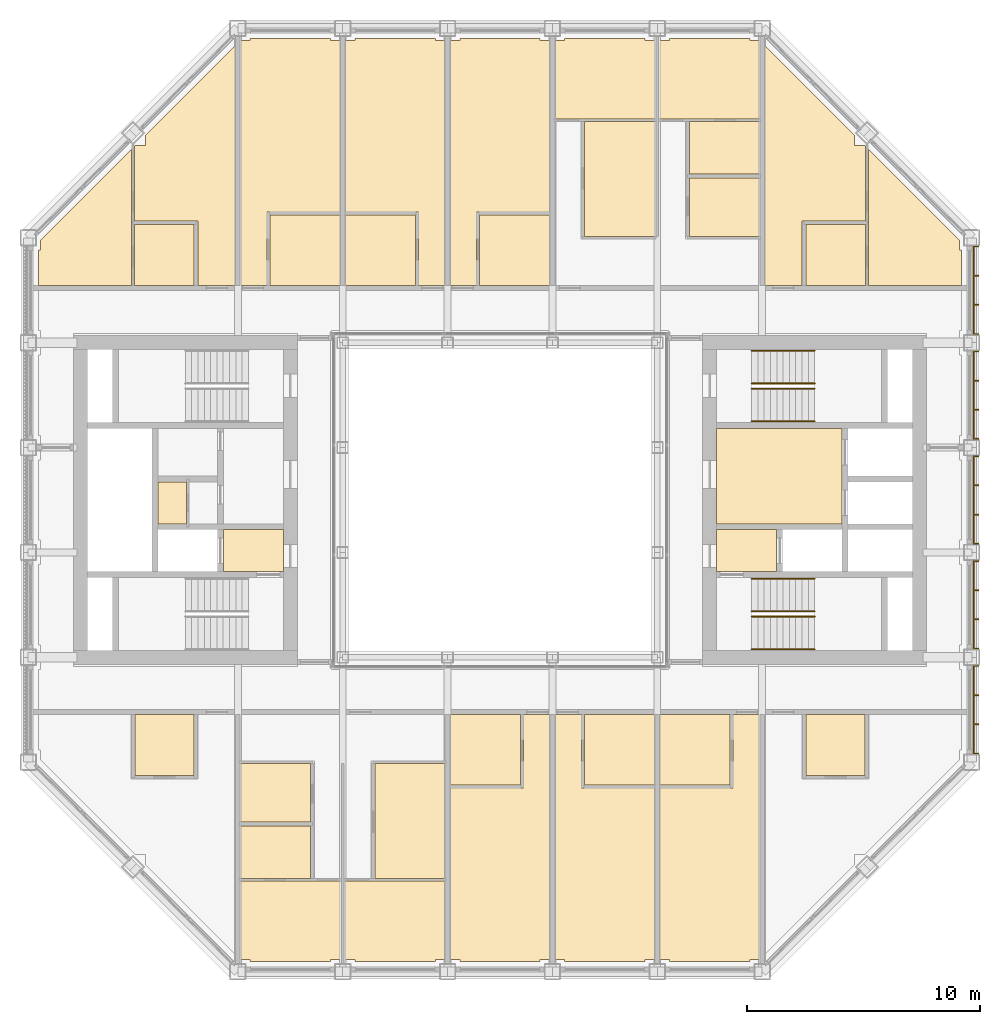
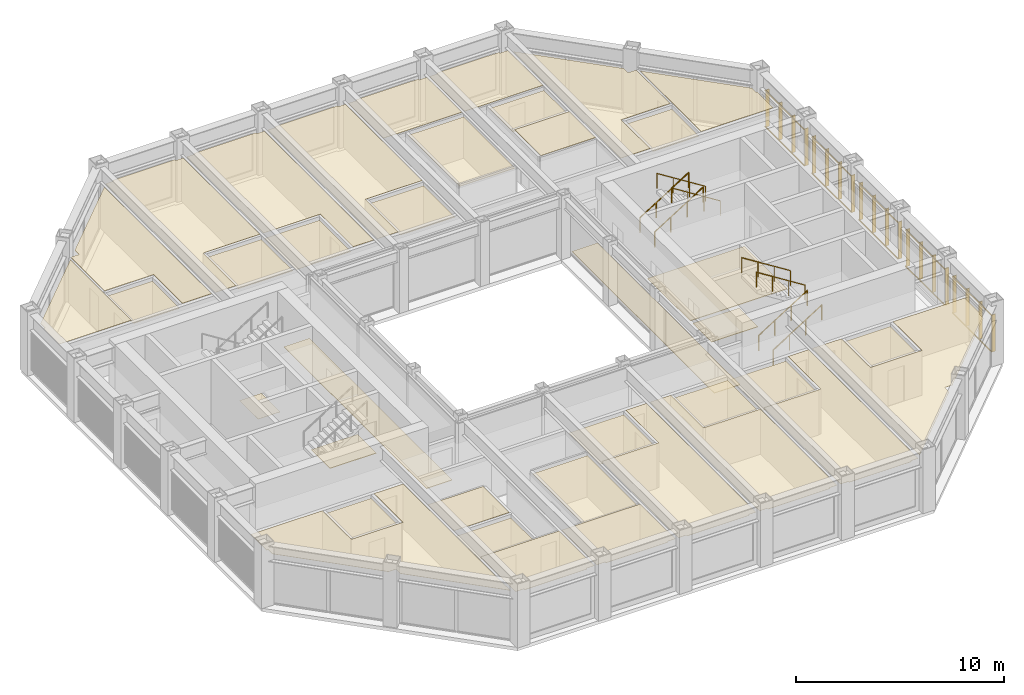
# One storey, part 17 of 18: 8 railings, 4 coverings, 1 shading device.
"""IFC4 building model written with IfcOpenShell, lengths in metres."""

from ifc_helpers import new_model, si_unit, direction, frame, origin, origin_2d, place, context, subcontext, project, spatial, line, indexed_curve, rectangle, circle, outline, extrude, material, layer, layer_set, type_object, element, save


model = new_model("IFC4")

# Units and contexts
model_context = context("Model", 3, precision=1e-05, world=origin(), true_north=direction((0.0, 1.0)))
body_context = subcontext(model_context, "Body", "Model", "MODEL_VIEW")
ifc_project = project(units=[si_unit("LENGTHUNIT", "METRE"), si_unit("AREAUNIT", "SQUARE_METRE"), si_unit("VOLUMEUNIT", "CUBIC_METRE"), si_unit("PLANEANGLEUNIT", "RADIAN"), si_unit("MASSUNIT", "GRAM", prefix="KILO")], contexts=[model_context])

# Site, building, storey
site_placement = place(None, origin())
site = spatial("IfcSite", under=ifc_project, at=site_placement, CompositionType="ELEMENT")
building_placement = place(site_placement, origin())
building = spatial("IfcBuilding", under=site, at=building_placement, Name="Msasa Ring Tower", CompositionType="ELEMENT")
storey_placement = place(building_placement, frame((0.0, 0.0, 227.050048828125)))
storey = spatial("IfcBuildingStorey", under=building, at=storey_placement, Name="L59", CompositionType="ELEMENT", Elevation=227.050048828125)

# Shading device
ifc_material_1 = material(Name="Extruded terracotta on aluminium carriers", Category="masonry")
shading_device_type = type_object("IfcShadingDeviceType", Name="BS2 TERRACOTTA FIN SCREEN 40x200 AT 1350", PredefinedType="USERDEFINED", material=ifc_material_1)
shading_device_placement = place(storey_placement, origin())
element("IfcShadingDevice", 1, at=shading_device_placement, inside=storey, type_object=shading_device_type, Name="Terracotta fin screen E L59", ObjectType="BAGUETTE", PredefinedType="USERDEFINED", context=body_context, shape_type="SweptSolid", body=[
    extrude(rectangle(XDim=0.06005859375, YDim=0.0400390625, at=origin_2d()), frame((20.330078125, -10.89990234375, 0.329833984375), z_axis=(0.0, 1.0, 0.0), x_axis=(0.0, 0.0, 1.0)), (0.0, 0.0, 1.0), 3.800048828125),
    extrude(rectangle(XDim=0.06005859375, YDim=0.0400390625, at=origin_2d()), frame((20.330078125, -10.89990234375, 2.448974609375), z_axis=(0.0, 1.0, 0.0), x_axis=(0.0, 0.0, 1.0)), (0.0, 0.0, 1.0), 3.800048828125),
    extrude(rectangle(XDim=0.0400390625, YDim=0.199951171875, at=origin_2d()), frame((20.445068359375, -10.8798828125, 0.300048828125), z_axis=(0.0, 0.0, 1.0), x_axis=(0.0, 1.0, 0.0)), (0.0, 0.0, 1.0), 2.178955078125),
    extrude(rectangle(XDim=0.0400390625, YDim=0.199951171875, at=origin_2d()), frame((20.445068359375, -9.626708984375, 0.300048828125), z_axis=(0.0, 0.0, 1.0), x_axis=(0.0, 1.0, 0.0)), (0.0, 0.0, 1.0), 2.178955078125),
    extrude(rectangle(XDim=0.0400390625, YDim=0.199951171875, at=origin_2d()), frame((20.445068359375, -8.373291015625, 0.300048828125), z_axis=(0.0, 0.0, 1.0), x_axis=(0.0, 1.0, 0.0)), (0.0, 0.0, 1.0), 2.178955078125),
    extrude(rectangle(XDim=0.0400390625, YDim=0.199951171875, at=origin_2d()), frame((20.445068359375, -7.1201171875, 0.300048828125), z_axis=(0.0, 0.0, 1.0), x_axis=(0.0, 1.0, 0.0)), (0.0, 0.0, 1.0), 2.178955078125),
    extrude(rectangle(XDim=0.06005859375, YDim=0.0400390625, at=origin_2d()), frame((20.330078125, -6.39990234375, 0.329833984375), z_axis=(0.0, 1.0, 0.0), x_axis=(0.0, 0.0, 1.0)), (0.0, 0.0, 1.0), 3.800048828125),
    extrude(rectangle(XDim=0.06005859375, YDim=0.0400390625, at=origin_2d()), frame((20.330078125, -6.39990234375, 2.448974609375), z_axis=(0.0, 1.0, 0.0), x_axis=(0.0, 0.0, 1.0)), (0.0, 0.0, 1.0), 3.800048828125),
    extrude(rectangle(XDim=0.0400390625, YDim=0.199951171875, at=origin_2d()), frame((20.445068359375, -6.3798828125, 0.300048828125), z_axis=(0.0, 0.0, 1.0), x_axis=(0.0, 1.0, 0.0)), (0.0, 0.0, 1.0), 2.178955078125),
    extrude(rectangle(XDim=0.0400390625, YDim=0.199951171875, at=origin_2d()), frame((20.445068359375, -5.126708984375, 0.300048828125), z_axis=(0.0, 0.0, 1.0), x_axis=(0.0, 1.0, 0.0)), (0.0, 0.0, 1.0), 2.178955078125),
    extrude(rectangle(XDim=0.0400390625, YDim=0.199951171875, at=origin_2d()), frame((20.445068359375, -3.873291015625, 0.300048828125), z_axis=(0.0, 0.0, 1.0), x_axis=(0.0, 1.0, 0.0)), (0.0, 0.0, 1.0), 2.178955078125),
    extrude(rectangle(XDim=0.0400390625, YDim=0.199951171875, at=origin_2d()), frame((20.445068359375, -2.6201171875, 0.300048828125), z_axis=(0.0, 0.0, 1.0), x_axis=(0.0, 1.0, 0.0)), (0.0, 0.0, 1.0), 2.178955078125),
    extrude(rectangle(XDim=0.06005859375, YDim=0.0400390625, at=origin_2d()), frame((20.330078125, -1.89990234375, 0.329833984375), z_axis=(0.0, 1.0, 0.0), x_axis=(0.0, 0.0, 1.0)), (0.0, 0.0, 1.0), 3.800048828125),
    extrude(rectangle(XDim=0.06005859375, YDim=0.0400390625, at=origin_2d()), frame((20.330078125, -1.89990234375, 2.448974609375), z_axis=(0.0, 1.0, 0.0), x_axis=(0.0, 0.0, 1.0)), (0.0, 0.0, 1.0), 3.800048828125),
    extrude(rectangle(XDim=0.0400390625, YDim=0.199951171875, at=origin_2d()), frame((20.445068359375, -1.8798828125, 0.300048828125), z_axis=(0.0, 0.0, 1.0), x_axis=(0.0, 1.0, 0.0)), (0.0, 0.0, 1.0), 2.178955078125),
    extrude(rectangle(XDim=0.0400390625, YDim=0.199951171875, at=origin_2d()), frame((20.445068359375, -0.626708984375, 0.300048828125), z_axis=(0.0, 0.0, 1.0), x_axis=(0.0, 1.0, 0.0)), (0.0, 0.0, 1.0), 2.178955078125),
    extrude(rectangle(XDim=0.0400390625, YDim=0.199951171875, at=origin_2d()), frame((20.445068359375, 0.626708984375, 0.300048828125), z_axis=(0.0, 0.0, 1.0), x_axis=(0.0, 1.0, 0.0)), (0.0, 0.0, 1.0), 2.178955078125),
    extrude(rectangle(XDim=0.0400390625, YDim=0.199951171875, at=origin_2d()), frame((20.445068359375, 1.8798828125, 0.300048828125), z_axis=(0.0, 0.0, 1.0), x_axis=(0.0, 1.0, 0.0)), (0.0, 0.0, 1.0), 2.178955078125),
    extrude(rectangle(XDim=0.06005859375, YDim=0.0400390625, at=origin_2d()), frame((20.330078125, 2.60009765625, 0.329833984375), z_axis=(0.0, 1.0, 0.0), x_axis=(0.0, 0.0, 1.0)), (0.0, 0.0, 1.0), 3.800048828125),
    extrude(rectangle(XDim=0.06005859375, YDim=0.0400390625, at=origin_2d()), frame((20.330078125, 2.60009765625, 2.448974609375), z_axis=(0.0, 1.0, 0.0), x_axis=(0.0, 0.0, 1.0)), (0.0, 0.0, 1.0), 3.800048828125),
    extrude(rectangle(XDim=0.0400390625, YDim=0.199951171875, at=origin_2d()), frame((20.445068359375, 2.6201171875, 0.300048828125), z_axis=(0.0, 0.0, 1.0), x_axis=(0.0, 1.0, 0.0)), (0.0, 0.0, 1.0), 2.178955078125),
    extrude(rectangle(XDim=0.0400390625, YDim=0.199951171875, at=origin_2d()), frame((20.445068359375, 3.873291015625, 0.300048828125), z_axis=(0.0, 0.0, 1.0), x_axis=(0.0, 1.0, 0.0)), (0.0, 0.0, 1.0), 2.178955078125),
    extrude(rectangle(XDim=0.0400390625, YDim=0.199951171875, at=origin_2d()), frame((20.445068359375, 5.126708984375, 0.300048828125), z_axis=(0.0, 0.0, 1.0), x_axis=(0.0, 1.0, 0.0)), (0.0, 0.0, 1.0), 2.178955078125),
    extrude(rectangle(XDim=0.0400390625, YDim=0.199951171875, at=origin_2d()), frame((20.445068359375, 6.3798828125, 0.300048828125), z_axis=(0.0, 0.0, 1.0), x_axis=(0.0, 1.0, 0.0)), (0.0, 0.0, 1.0), 2.178955078125),
    extrude(rectangle(XDim=0.06005859375, YDim=0.0400390625, at=origin_2d()), frame((20.330078125, 7.10009765625, 0.329833984375), z_axis=(0.0, 1.0, 0.0), x_axis=(0.0, 0.0, 1.0)), (0.0, 0.0, 1.0), 3.800048828125),
    extrude(rectangle(XDim=0.06005859375, YDim=0.0400390625, at=origin_2d()), frame((20.330078125, 7.10009765625, 2.448974609375), z_axis=(0.0, 1.0, 0.0), x_axis=(0.0, 0.0, 1.0)), (0.0, 0.0, 1.0), 3.800048828125),
    extrude(rectangle(XDim=0.0400390625, YDim=0.199951171875, at=origin_2d()), frame((20.445068359375, 7.1201171875, 0.300048828125), z_axis=(0.0, 0.0, 1.0), x_axis=(0.0, 1.0, 0.0)), (0.0, 0.0, 1.0), 2.178955078125),
    extrude(rectangle(XDim=0.0400390625, YDim=0.199951171875, at=origin_2d()), frame((20.445068359375, 8.373291015625, 0.300048828125), z_axis=(0.0, 0.0, 1.0), x_axis=(0.0, 1.0, 0.0)), (0.0, 0.0, 1.0), 2.178955078125),
    extrude(rectangle(XDim=0.0400390625, YDim=0.199951171875, at=origin_2d()), frame((20.445068359375, 9.626708984375, 0.300048828125), z_axis=(0.0, 0.0, 1.0), x_axis=(0.0, 1.0, 0.0)), (0.0, 0.0, 1.0), 2.178955078125),
    extrude(rectangle(XDim=0.0400390625, YDim=0.199951171875, at=origin_2d()), frame((20.445068359375, 10.8798828125, 0.300048828125), z_axis=(0.0, 0.0, 1.0), x_axis=(0.0, 1.0, 0.0)), (0.0, 0.0, 1.0), 2.178955078125),
])

# Coverings
ifc_material_2 = material(Name="Gypsum plasterboard on a steel suspension grid", Category="steel")
ifc_layer_1 = layer(ifc_material_2, 0.014892578125)
ifc_layer_set_1 = layer_set([ifc_layer_1], Name="C1 SUSPENDED PLASTERBOARD CEILING 15")
covering_type_1 = type_object("IfcCoveringType", Name="C1 SUSPENDED PLASTERBOARD CEILING 15", PredefinedType="CEILING", material=ifc_layer_set_1)
covering_1_placement = place(storey_placement, frame((0.0, 0.0, 2.634033203125)))
element("IfcCovering", 2, at=covering_1_placement, inside=storey, type_object=covering_type_1, Name="Suspended Plasterboard Ceiling 15 L59", PredefinedType="CEILING", context=body_context, shape_type="SweptSolid", body=[
    extrude(outline(indexed_curve([(-12.969482421875, -11.98046875), (-12.969482421875, -9.200439453125), (-11.3505859375, -9.200439453125), (-11.3505859375, -19.512451171875), (-15.224609375, -15.638427734375), (-15.224609375, -15.224609375), (-15.638427734375, -15.224609375), (-19.724609375, -11.138427734375), (-19.724609375, -10.724609375), (-19.799560546875, -10.724609375), (-19.799560546875, -9.200439453125), (-15.83056640625, -9.200439453125), (-15.83056640625, -11.98046875)], segments=[line(1, 2, 3, 4, 5, 6, 7, 8, 9, 10, 11, 12, 13, 1)], self_intersect=False)), origin(), (0.0, 0.0, 1.0), 0.014892578125),
    extrude(outline(indexed_curve([(-19.799560546875, 9.200439453125), (-19.799560546875, 10.724609375), (-19.724609375, 10.724609375), (-19.724609375, 11.138427734375), (-15.810546875, 15.052490234375), (-15.810546875, 9.200439453125)], segments=[line(1, 2, 3, 4, 5, 6, 1)], self_intersect=False)), origin(), (0.0, 0.0, 1.0), 0.014892578125),
    extrude(outline(indexed_curve([(-15.638427734375, 15.224609375), (-15.224609375, 15.224609375), (-15.224609375, 15.638427734375), (-11.3505859375, 19.512451171875), (-11.3505859375, 9.200439453125), (-12.969482421875, 9.200439453125), (-12.969482421875, 11.98046875), (-15.689453125, 11.98046875), (-15.689453125, 15.17333984375)], segments=[line(1, 2, 3, 4, 5, 6, 7, 8, 9, 1)], self_intersect=False)), origin(), (0.0, 0.0, 1.0), 0.014892578125),
    extrude(outline(indexed_curve([(-14.674560546875, 0.7744140625), (-13.45556640625, 0.7744140625), (-13.45556640625, -1.0244140625), (-14.674560546875, -1.0244140625)], segments=[line(1, 2, 3, 4, 1)], self_intersect=False)), origin(), (0.0, 0.0, 1.0), 0.014892578125),
    extrude(outline(indexed_curve([(-11.189453125, -16.35546875), (-6.810546875, -16.35546875), (-6.810546875, -19.724609375), (-7.275390625, -19.724609375), (-7.275390625, -19.799560546875), (-10.724609375, -19.799560546875), (-10.724609375, -19.724609375), (-11.138427734375, -19.724609375), (-11.189453125, -19.67333984375)], segments=[line(1, 2, 3, 4, 5, 6, 7, 8, 9, 1)], self_intersect=False)), origin(), (0.0, 0.0, 1.0), 0.014892578125),
    extrude(outline(indexed_curve([(-11.189453125, -11.305419921875), (-8.130615234375, -11.305419921875), (-8.130615234375, -13.819580078125), (-11.189453125, -13.819580078125)], segments=[line(1, 2, 3, 4, 1)], self_intersect=False)), origin(), (0.0, 0.0, 1.0), 0.014892578125),
    extrude(outline(indexed_curve([(-11.1494140625, 9.200439453125), (-11.1494140625, 19.71337890625), (-11.138427734375, 19.724609375), (-10.724609375, 19.724609375), (-10.724609375, 19.799560546875), (-7.275390625, 19.799560546875), (-7.275390625, 19.724609375), (-6.8505859375, 19.724609375), (-6.8505859375, 12.3505859375), (-10.00048828125, 12.3505859375), (-10.00048828125, 9.200439453125)], segments=[line(1, 2, 3, 4, 5, 6, 7, 8, 9, 10, 11, 1)], self_intersect=False)), origin(), (0.0, 0.0, 1.0), 0.014892578125),
    extrude(outline(indexed_curve([(-2.310546875, -16.35546875), (-2.310546875, -19.724609375), (-2.775390625, -19.724609375), (-2.775390625, -19.799560546875), (-6.224609375, -19.799560546875), (-6.224609375, -19.724609375), (-6.689453125, -19.724609375), (-6.689453125, -16.35546875)], segments=[line(1, 2, 3, 4, 5, 6, 7, 8, 1)], self_intersect=False)), origin(), (0.0, 0.0, 1.0), 0.014892578125),
    extrude(outline(indexed_curve([(-2.3505859375, 9.200439453125), (-3.49951171875, 9.200439453125), (-3.49951171875, 12.3505859375), (-6.6494140625, 12.3505859375), (-6.6494140625, 19.724609375), (-6.224609375, 19.724609375), (-6.224609375, 19.799560546875), (-2.775390625, 19.799560546875), (-2.775390625, 19.724609375), (-2.3505859375, 19.724609375)], segments=[line(1, 2, 3, 4, 5, 6, 7, 8, 9, 10, 1)], self_intersect=False)), origin(), (0.0, 0.0, 1.0), 0.014892578125),
    extrude(outline(indexed_curve([(2.1494140625, -9.200439453125), (2.1494140625, -19.724609375), (1.724609375, -19.724609375), (1.724609375, -19.799560546875), (-1.724609375, -19.799560546875), (-1.724609375, -19.724609375), (-2.1494140625, -19.724609375), (-2.1494140625, -12.3505859375), (1.00048828125, -12.3505859375), (1.00048828125, -9.200439453125)], segments=[line(1, 2, 3, 4, 5, 6, 7, 8, 9, 10, 1)], self_intersect=False)), origin(), (0.0, 0.0, 1.0), 0.014892578125),
    extrude(outline(indexed_curve([(-2.1494140625, 9.200439453125), (-2.1494140625, 19.724609375), (-1.724609375, 19.724609375), (-1.724609375, 19.799560546875), (1.724609375, 19.799560546875), (1.724609375, 19.724609375), (2.1494140625, 19.724609375), (2.1494140625, 12.3505859375), (-1.00048828125, 12.3505859375), (-1.00048828125, 9.200439453125)], segments=[line(1, 2, 3, 4, 5, 6, 7, 8, 9, 10, 1)], self_intersect=False)), origin(), (0.0, 0.0, 1.0), 0.014892578125),
    extrude(outline(indexed_curve([(2.310546875, 19.724609375), (2.775390625, 19.724609375), (2.775390625, 19.799560546875), (6.224609375, 19.799560546875), (6.224609375, 19.724609375), (6.689453125, 19.724609375), (6.689453125, 16.35546875), (2.310546875, 16.35546875)], segments=[line(1, 2, 3, 4, 5, 6, 7, 8, 1)], self_intersect=False)), origin(), (0.0, 0.0, 1.0), 0.014892578125),
    extrude(outline(indexed_curve([(2.775390625, -19.799560546875), (2.775390625, -19.724609375), (2.3505859375, -19.724609375), (2.3505859375, -9.200439453125), (3.49951171875, -9.200439453125), (3.49951171875, -12.3505859375), (6.6494140625, -12.3505859375), (6.6494140625, -19.724609375), (6.224609375, -19.724609375), (6.224609375, -19.799560546875)], segments=[line(1, 2, 3, 4, 5, 6, 7, 8, 9, 10, 1)], self_intersect=False)), origin(), (0.0, 0.0, 1.0), 0.014892578125),
    extrude(outline(indexed_curve([(6.810546875, 16.35546875), (6.810546875, 19.724609375), (7.275390625, 19.724609375), (7.275390625, 19.799560546875), (10.724609375, 19.799560546875), (10.724609375, 19.724609375), (11.138427734375, 19.724609375), (11.189453125, 19.67333984375), (11.189453125, 16.35546875)], segments=[line(1, 2, 3, 4, 5, 6, 7, 8, 9, 1)], self_intersect=False)), origin(), (0.0, 0.0, 1.0), 0.014892578125),
    extrude(outline(indexed_curve([(11.1494140625, -9.200439453125), (11.1494140625, -19.71337890625), (11.138427734375, -19.724609375), (10.724609375, -19.724609375), (10.724609375, -19.799560546875), (7.275390625, -19.799560546875), (7.275390625, -19.724609375), (6.8505859375, -19.724609375), (6.8505859375, -12.3505859375), (10.00048828125, -12.3505859375), (10.00048828125, -9.200439453125)], segments=[line(1, 2, 3, 4, 5, 6, 7, 8, 9, 10, 11, 1)], self_intersect=False)), origin(), (0.0, 0.0, 1.0), 0.014892578125),
    extrude(outline(indexed_curve([(8.130615234375, 13.819580078125), (11.189453125, 13.819580078125), (11.189453125, 11.305419921875), (8.130615234375, 11.305419921875)], segments=[line(1, 2, 3, 4, 1)], self_intersect=False)), origin(), (0.0, 0.0, 1.0), 0.014892578125),
    extrude(outline(indexed_curve([(19.799560546875, -10.724609375), (19.724609375, -10.724609375), (19.724609375, -11.138427734375), (15.638427734375, -15.224609375), (15.224609375, -15.224609375), (15.224609375, -15.638427734375), (11.3505859375, -19.512451171875), (11.3505859375, -9.200439453125), (12.969482421875, -9.200439453125), (12.969482421875, -11.98046875), (15.83056640625, -11.98046875), (15.83056640625, -9.200439453125), (19.799560546875, -9.200439453125)], segments=[line(1, 2, 3, 4, 5, 6, 7, 8, 9, 10, 11, 12, 13, 1)], self_intersect=False)), origin(), (0.0, 0.0, 1.0), 0.014892578125),
    extrude(outline(indexed_curve([(11.3505859375, 9.200439453125), (11.3505859375, 19.512451171875), (15.224609375, 15.638427734375), (15.224609375, 15.224609375), (15.638427734375, 15.224609375), (15.689453125, 15.17333984375), (15.689453125, 11.98046875), (12.969482421875, 11.98046875), (12.969482421875, 9.200439453125)], segments=[line(1, 2, 3, 4, 5, 6, 7, 8, 9, 1)], self_intersect=False)), origin(), (0.0, 0.0, 1.0), 0.014892578125),
    extrude(outline(indexed_curve([(15.810546875, 15.052490234375), (19.724609375, 11.138427734375), (19.724609375, 10.724609375), (19.799560546875, 10.724609375), (19.799560546875, 9.200439453125), (15.810546875, 9.200439453125)], segments=[line(1, 2, 3, 4, 5, 6, 1)], self_intersect=False)), origin(), (0.0, 0.0, 1.0), 0.014892578125),
])
ifc_material_3 = material(Name="Moisture-resistant gypsum plasterboard on a steel suspension grid", Category="steel")
ifc_layer_2 = layer(ifc_material_3, 0.014892578125)
ifc_layer_set_2 = layer_set([ifc_layer_2], Name="C2 MOISTURE-RESISTANT PLASTERBOARD CEILING 15")
covering_type_2 = type_object("IfcCoveringType", Name="C2 MOISTURE-RESISTANT PLASTERBOARD CEILING 15", PredefinedType="CEILING", material=ifc_layer_set_2)
covering_2_placement = place(storey_placement, frame((0.0, 0.0, 2.39990234375)))
element("IfcCovering", 3, at=covering_2_placement, inside=storey, type_object=covering_type_2, Name="Moisture-Resistant Plasterboard Ceiling 15 L59", PredefinedType="CEILING", context=body_context, shape_type="SweptSolid", body=[
    extrude(outline(indexed_curve([(-15.689453125, 9.200439453125), (-15.689453125, 11.819580078125), (-13.130615234375, 11.819580078125), (-13.130615234375, 9.200439453125)], segments=[line(1, 2, 3, 4, 1)], self_intersect=False)), origin(), (0.0, 0.0, 1.0), 0.01513671875),
    extrude(outline(indexed_curve([(-15.66943359375, -9.200439453125), (-13.130615234375, -9.200439453125), (-13.130615234375, -11.819580078125), (-15.66943359375, -11.819580078125)], segments=[line(1, 2, 3, 4, 1)], self_intersect=False)), origin(), (0.0, 0.0, 1.0), 0.01513671875),
    extrude(outline(indexed_curve([(-11.1494140625, -16.244384765625), (-11.1494140625, -13.98046875), (-8.130615234375, -13.98046875), (-8.130615234375, -16.244384765625)], segments=[line(1, 2, 3, 4, 1)], self_intersect=False)), origin(), (0.0, 0.0, 1.0), 0.01513671875),
    extrude(outline(indexed_curve([(-9.87451171875, 9.200439453125), (-9.87451171875, 12.224609375), (-6.8505859375, 12.224609375), (-6.8505859375, 9.200439453125)], segments=[line(1, 2, 3, 4, 1)], self_intersect=False)), origin(), (0.0, 0.0, 1.0), 0.01513671875),
    extrude(outline(indexed_curve([(-6.6494140625, 9.200439453125), (-6.6494140625, 12.224609375), (-3.62548828125, 12.224609375), (-3.62548828125, 9.200439453125)], segments=[line(1, 2, 3, 4, 1)], self_intersect=False)), origin(), (0.0, 0.0, 1.0), 0.01513671875),
    extrude(outline(indexed_curve([(-2.1494140625, -9.200439453125), (0.87451171875, -9.200439453125), (0.87451171875, -12.224609375), (-2.1494140625, -12.224609375)], segments=[line(1, 2, 3, 4, 1)], self_intersect=False)), origin(), (0.0, 0.0, 1.0), 0.01513671875),
    extrude(outline(indexed_curve([(2.1494140625, 9.200439453125), (-0.87451171875, 9.200439453125), (-0.87451171875, 12.224609375), (2.1494140625, 12.224609375)], segments=[line(1, 2, 3, 4, 1)], self_intersect=False)), origin(), (0.0, 0.0, 1.0), 0.01513671875),
    extrude(outline(indexed_curve([(6.6494140625, -9.200439453125), (6.6494140625, -12.224609375), (3.62548828125, -12.224609375), (3.62548828125, -9.200439453125)], segments=[line(1, 2, 3, 4, 1)], self_intersect=False)), origin(), (0.0, 0.0, 1.0), 0.01513671875),
    extrude(outline(indexed_curve([(9.87451171875, -9.200439453125), (9.87451171875, -12.224609375), (6.8505859375, -12.224609375), (6.8505859375, -9.200439453125)], segments=[line(1, 2, 3, 4, 1)], self_intersect=False)), origin(), (0.0, 0.0, 1.0), 0.01513671875),
    extrude(outline(indexed_curve([(8.130615234375, 16.244384765625), (11.1494140625, 16.244384765625), (11.1494140625, 13.98046875), (8.130615234375, 13.98046875)], segments=[line(1, 2, 3, 4, 1)], self_intersect=False)), origin(), (0.0, 0.0, 1.0), 0.01513671875),
    extrude(outline(indexed_curve([(13.130615234375, -9.200439453125), (15.66943359375, -9.200439453125), (15.66943359375, -11.819580078125), (13.130615234375, -11.819580078125)], segments=[line(1, 2, 3, 4, 1)], self_intersect=False)), origin(), (0.0, 0.0, 1.0), 0.01513671875),
    extrude(outline(indexed_curve([(13.130615234375, 9.200439453125), (13.130615234375, 11.819580078125), (15.689453125, 11.819580078125), (15.689453125, 9.200439453125)], segments=[line(1, 2, 3, 4, 1)], self_intersect=False)), origin(), (0.0, 0.0, 1.0), 0.01513671875),
])
ifc_material_4 = material(Name="Perforated aluminium ceiling pans on a steel grid", Category="steel")
ifc_layer_3 = layer(ifc_material_4, 0.02490234375)
ifc_layer_set_3 = layer_set([ifc_layer_3], Name="C4 PERFORATED METAL PAN CEILING 25")
covering_type_3 = type_object("IfcCoveringType", Name="C4 PERFORATED METAL PAN CEILING 25", PredefinedType="CEILING", material=ifc_layer_set_3)
covering_3_placement = place(storey_placement, frame((0.0, 0.0, 2.39990234375)))
element("IfcCovering", 4, at=covering_3_placement, inside=storey, type_object=covering_type_3, Name="Perforated Metal Pan Ceiling 25 L59", PredefinedType="CEILING", context=body_context, shape_type="SweptSolid", body=[
    extrude(outline(indexed_curve([(-2.3505859375, -11.305419921875), (-2.3505859375, -16.244384765625), (-5.369384765625, -16.244384765625), (-5.369384765625, -11.305419921875)], segments=[line(1, 2, 3, 4, 1)], self_intersect=False)), origin(), (0.0, 0.0, 1.0), 0.025146484375),
    extrude(outline(indexed_curve([(6.689453125, 16.244384765625), (6.689453125, 11.305419921875), (3.630615234375, 11.305419921875), (3.630615234375, 16.244384765625)], segments=[line(1, 2, 3, 4, 1)], self_intersect=False)), origin(), (0.0, 0.0, 1.0), 0.025146484375),
])
ifc_material_5 = material(Name="Honed granite tiles on a mortar bed", Category="masonry")
ifc_layer_4 = layer(ifc_material_5, 0.030029296875)
ifc_layer_set_4 = layer_set([ifc_layer_4], Name="F1 HONED GRANITE ON BEDDING 30")
covering_type_4 = type_object("IfcCoveringType", Name="F1 HONED GRANITE ON BEDDING 30", PredefinedType="FLOORING", material=ifc_layer_set_4)
covering_4_placement = place(storey_placement, origin())
element("IfcCovering", 5, at=covering_4_placement, inside=storey, type_object=covering_type_4, Name="Honed Granite On Bedding 30 L59", PredefinedType="FLOORING", context=body_context, shape_type="SweptSolid", body=[
    extrude(outline(indexed_curve([(-11.87451171875, -3.074462890625), (-11.87451171875, -1.275390625), (-9.300537109375, -1.275390625), (-9.300537109375, -3.074462890625)], segments=[line(1, 2, 3, 4, 1)], self_intersect=False)), origin(), (0.0, 0.0, 1.0), 0.030029296875),
    extrude(outline(indexed_curve([(-8.699462890625, -6.849609375), (-8.699462890625, 6.849609375), (-7.280029296875, 6.849609375), (-7.280029296875, -6.849609375)], segments=[line(1, 2, 3, 4, 1)], self_intersect=False)), origin(), (0.0, 0.0, 1.0), 0.030029296875),
    extrude(outline(indexed_curve([(8.699462890625, 6.849609375), (8.699462890625, -6.849609375), (7.280029296875, -6.849609375), (7.280029296875, 6.849609375)], segments=[line(1, 2, 3, 4, 1)], self_intersect=False)), origin(), (0.0, 0.0, 1.0), 0.030029296875),
    extrude(outline(indexed_curve([(9.300537109375, -3.074462890625), (9.300537109375, -1.275390625), (11.87451171875, -1.275390625), (11.87451171875, -3.074462890625)], segments=[line(1, 2, 3, 4, 1)], self_intersect=False)), origin(), (0.0, 0.0, 1.0), 0.030029296875),
    extrude(outline(indexed_curve([(9.300537109375, 3.074462890625), (14.674560546875, 3.074462890625), (14.674560546875, -1.0244140625), (9.300537109375, -1.0244140625)], segments=[line(1, 2, 3, 4, 1)], self_intersect=False)), origin(), (0.0, 0.0, 1.0), 0.030029296875),
])

# Railings
ifc_material_6 = material(Name="Stainless steel", Category="steel")
railing_type = type_object("IfcRailingType", Name="HR1 HANDRAIL 900", PredefinedType="HANDRAIL", material=ifc_material_6)
for number, where, name in (
    (6, (10.800048828125, -6.39990234375, 0.17041015625), "Handrail stair SEA L59 1"),
    (7, (10.800048828125, -5.0, 0.17041015625), "Handrail stair SEA L59 2"),
):
    element("IfcRailing", number, at=place(storey_placement, frame(where)), inside=storey, type_object=railing_type, Name=name, PredefinedType="HANDRAIL", context=body_context, shape_type="SweptSolid", body=[
        extrude(circle(Radius=0.02392578125, at=origin_2d()), frame((0.0, 0.0, 0.8759765625), z_axis=(0.845579735284, 0.0, 0.533849146555), x_axis=(0.0, 1.0, 0.0)), (0.0, 0.0, 1.0), 3.193115234375),
        extrude(circle(Radius=0.02099609375, at=origin_2d()), origin(), (0.0, 0.0, 1.0), 0.851806640625),
        extrude(circle(Radius=0.02099609375, at=origin_2d()), frame((0.89990234375, 0.0, 0.568115234375)), (0.0, 0.0, 1.0), 0.851806640625),
        extrude(circle(Radius=0.02099609375, at=origin_2d()), frame((1.800048828125, 0.0, 1.136474609375)), (0.0, 0.0, 1.0), 0.851806640625),
        extrude(circle(Radius=0.02099609375, at=origin_2d()), frame((2.699951171875, 0.0, 1.70458984375)), (0.0, 0.0, 1.0), 0.851806640625),
    ])
for number, where, name in (
    (8, (13.5, -4.77490234375, 2.04541015625), "Handrail stair SEA L59 3"),
    (9, (13.5, -3.375, 2.04541015625), "Handrail stair SEA L59 4"),
):
    element("IfcRailing", number, at=place(storey_placement, frame(where)), inside=storey, type_object=railing_type, Name=name, PredefinedType="HANDRAIL", context=body_context, shape_type="SweptSolid", body=[
        extrude(circle(Radius=0.02392578125, at=origin_2d()), frame((0.0, 0.0, 0.8759765625), z_axis=(-0.845579735284, 0.0, 0.533849146555), x_axis=(0.0, -1.0, 0.0)), (0.0, 0.0, 1.0), 3.193115234375),
        extrude(circle(Radius=0.02099609375, at=origin_2d()), origin(), (0.0, 0.0, 1.0), 0.851806640625),
        extrude(circle(Radius=0.02099609375, at=origin_2d()), frame((-0.89990234375, 0.0, 0.568115234375)), (0.0, 0.0, 1.0), 0.851806640625),
        extrude(circle(Radius=0.02099609375, at=origin_2d()), frame((-1.800048828125, 0.0, 1.136474609375)), (0.0, 0.0, 1.0), 0.851806640625),
        extrude(circle(Radius=0.02099609375, at=origin_2d()), frame((-2.699951171875, 0.0, 1.70458984375)), (0.0, 0.0, 1.0), 0.851806640625),
    ])
for number, where, name in (
    (10, (10.800048828125, 5.0, 0.17041015625), "Handrail stair SEB L59 1"),
    (11, (10.800048828125, 6.39990234375, 0.17041015625), "Handrail stair SEB L59 2"),
):
    element("IfcRailing", number, at=place(storey_placement, frame(where)), inside=storey, type_object=railing_type, Name=name, PredefinedType="HANDRAIL", context=body_context, shape_type="SweptSolid", body=[
        extrude(circle(Radius=0.02392578125, at=origin_2d()), frame((0.0, 0.0, 0.8759765625), z_axis=(0.845579735284, 0.0, 0.533849146555), x_axis=(0.0, 1.0, 0.0)), (0.0, 0.0, 1.0), 3.193115234375),
        extrude(circle(Radius=0.02099609375, at=origin_2d()), origin(), (0.0, 0.0, 1.0), 0.851806640625),
        extrude(circle(Radius=0.02099609375, at=origin_2d()), frame((0.89990234375, 0.0, 0.568115234375)), (0.0, 0.0, 1.0), 0.851806640625),
        extrude(circle(Radius=0.02099609375, at=origin_2d()), frame((1.800048828125, 0.0, 1.136474609375)), (0.0, 0.0, 1.0), 0.851806640625),
        extrude(circle(Radius=0.02099609375, at=origin_2d()), frame((2.699951171875, 0.0, 1.70458984375)), (0.0, 0.0, 1.0), 0.851806640625),
    ])
for number, where, name in (
    (12, (13.5, 3.375, 2.04541015625), "Handrail stair SEB L59 3"),
    (13, (13.5, 4.77490234375, 2.04541015625), "Handrail stair SEB L59 4"),
):
    element("IfcRailing", number, at=place(storey_placement, frame(where)), inside=storey, type_object=railing_type, Name=name, PredefinedType="HANDRAIL", context=body_context, shape_type="SweptSolid", body=[
        extrude(circle(Radius=0.02392578125, at=origin_2d()), frame((0.0, 0.0, 0.8759765625), z_axis=(-0.845579735284, 0.0, 0.533849146555), x_axis=(0.0, -1.0, 0.0)), (0.0, 0.0, 1.0), 3.193115234375),
        extrude(circle(Radius=0.02099609375, at=origin_2d()), origin(), (0.0, 0.0, 1.0), 0.851806640625),
        extrude(circle(Radius=0.02099609375, at=origin_2d()), frame((-0.89990234375, 0.0, 0.568115234375)), (0.0, 0.0, 1.0), 0.851806640625),
        extrude(circle(Radius=0.02099609375, at=origin_2d()), frame((-1.800048828125, 0.0, 1.136474609375)), (0.0, 0.0, 1.0), 0.851806640625),
        extrude(circle(Radius=0.02099609375, at=origin_2d()), frame((-2.699951171875, 0.0, 1.70458984375)), (0.0, 0.0, 1.0), 0.851806640625),
    ])

save(model, "model.ifc")
